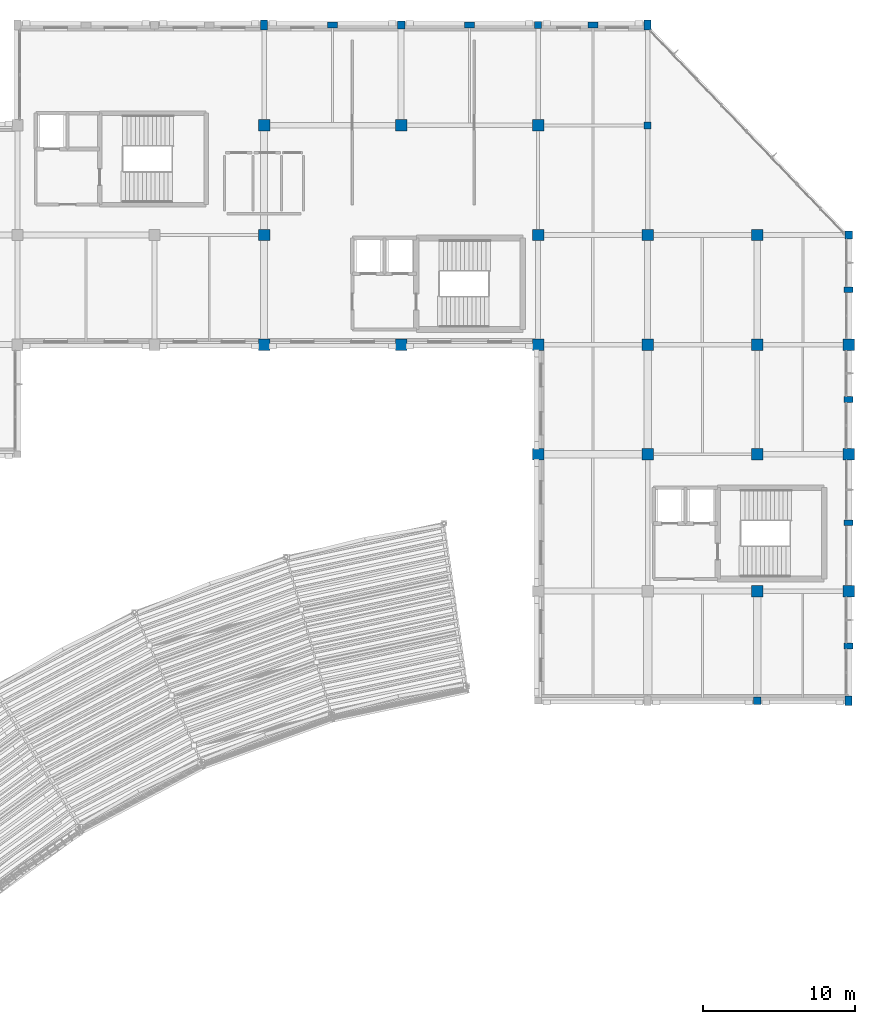
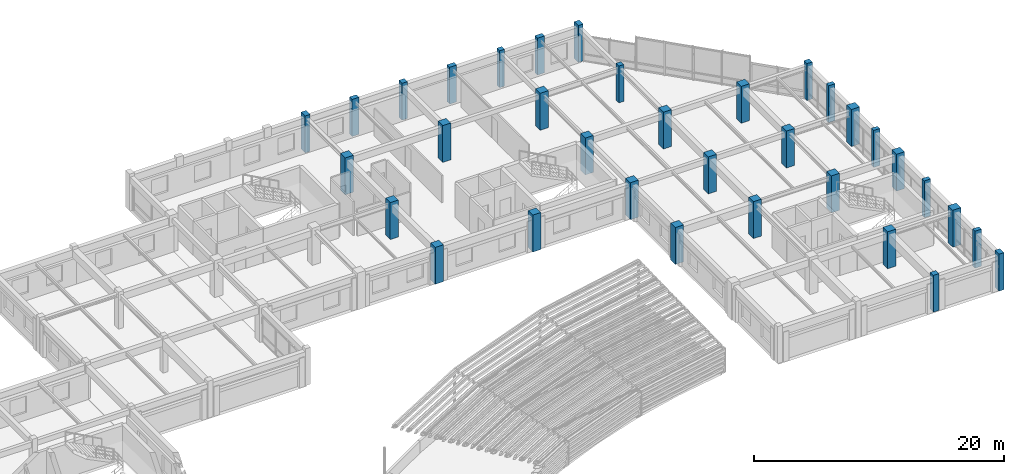
# One storey, part 14 of 74: 34 columns.
"""IFC4 building model written with IfcOpenShell, lengths in metres."""

from ifc_helpers import new_model, si_unit, direction, frame, origin, origin_2d, place, context, subcontext, project, spatial, rectangle, extrude, material, material_profile, profile_set, type_object, element, save


model = new_model("IFC4")

# Units and contexts
model_context = context("Model", 3, precision=1e-05, world=origin(), true_north=direction((0.0, 1.0)))
body_context = subcontext(model_context, "Body", "Model", "MODEL_VIEW")
ifc_project = project(units=[si_unit("LENGTHUNIT", "METRE"), si_unit("AREAUNIT", "SQUARE_METRE"), si_unit("VOLUMEUNIT", "CUBIC_METRE"), si_unit("PLANEANGLEUNIT", "RADIAN"), si_unit("MASSUNIT", "GRAM", prefix="KILO")], contexts=[model_context])

# Site, building, storey
site_placement = place(None, origin())
site = spatial("IfcSite", under=ifc_project, at=site_placement, CompositionType="ELEMENT")
building_placement = place(site_placement, origin())
building = spatial("IfcBuilding", under=site, at=building_placement, Name="Clarverna Civic Hall", CompositionType="ELEMENT")
storey_placement = place(building_placement, frame((0.0, 0.0, 13.199951171875)))
storey = spatial("IfcBuildingStorey", under=building, at=storey_placement, Name="L03", CompositionType="ELEMENT", Elevation=13.199951171875)

# Columns
ifc_material_1 = material(Name="Precast concrete C40/50", Category="concrete")
ifc_material_profile_1 = material_profile(ifc_material_1, rectangle(XDim=0.64990234375, YDim=0.419921875, at=origin_2d()), Name="PILASTER 650x420")
ifc_profile_set_1 = profile_set([ifc_material_profile_1], Name="Precast concrete C40/50")
column_type_1 = type_object("IfcColumnType", Name="C-PL1", PredefinedType="PILASTER", material=ifc_profile_set_1)
for number, where, z_axis, x_axis, name in (
    (1, (134.10009765625, 116.0, 0.0), (0.0, 0.0, 1.0), (1.0, 0.0, 0.0), "C-PL1-019"),
    (2, (143.10009765625, 116.0, 0.0), (0.0, 0.0, 1.0), (1.0, 0.0, 0.0), "C-PL1-026"),
    (3, (151.199951171875, 116.0, 0.0), (0.0, 0.0, 1.0), (1.0, 0.0, 0.0), "C-PL1-033"),
):
    element("IfcColumn", number, at=place(storey_placement, frame(where, z_axis=z_axis, x_axis=x_axis)), inside=storey, type_object=column_type_1, Name=name, PredefinedType="PILASTER", context=body_context, shape_type="SweptSolid", body=[
        extrude(rectangle(XDim=0.64990234375, YDim=0.419921875, at=origin_2d()), origin(), (0.0, 0.0, 1.0), 3.60009765625),
    ])
ifc_material_profile_2 = material_profile(ifc_material_1, rectangle(XDim=0.580078125, YDim=0.3798828125, at=origin_2d()), Name="PILASTER 580x380")
ifc_profile_set_2 = profile_set([ifc_material_profile_2], Name="Precast concrete C40/50")
column_type_2 = type_object("IfcColumnType", Name="C-PL2", PredefinedType="PILASTER", material=ifc_profile_set_2)
for number, where, z_axis, x_axis, name in (
    (4, (168.0, 75.199951171875, 0.0), (0.0, 0.0, 1.0), (1.0, 0.0, 0.0), "C-PL2-005"),
    (5, (168.0, 83.300048828125, 0.0), (0.0, 0.0, 1.0), (1.0, 0.0, 0.0), "C-PL2-012"),
    (6, (168.0, 91.39990234375, 0.0), (0.0, 0.0, 1.0), (1.0, 0.0, 0.0), "C-PL2-019"),
    (7, (168.0, 98.60009765625, 0.0), (0.0, 0.0, 1.0), (1.0, 0.0, 0.0), "C-PL2-026"),
):
    element("IfcColumn", number, at=place(storey_placement, frame(where, z_axis=z_axis, x_axis=x_axis)), inside=storey, type_object=column_type_2, Name=name, PredefinedType="PILASTER", context=body_context, shape_type="SweptSolid", body=[
        extrude(rectangle(XDim=0.580078125, YDim=0.3798828125, at=origin_2d()), origin(), (0.0, 0.0, 1.0), 3.60009765625),
    ])
ifc_material_2 = material(Name="Concrete C35/45", Category="concrete")
ifc_material_profile_3 = material_profile(ifc_material_2, rectangle(XDim=0.5, YDim=0.5, at=origin_2d()), Name="RC 500x500")
ifc_profile_set_3 = profile_set([ifc_material_profile_3], Name="Concrete C35/45")
column_type_3 = type_object("IfcColumnType", Name="C-RC12", PredefinedType="COLUMN", material=ifc_profile_set_3)
for number, where, z_axis, x_axis, name in (
    (8, (138.60009765625, 116.0, 0.0), (0.0, 0.0, 1.0), (1.0, 0.0, 0.0), "C-RC12-024"),
    (9, (162.0, 71.60009765625, 0.0), (0.0, 0.0, 1.0), (1.0, 0.0, 0.0), "C-RC12-025"),
    (10, (168.0, 102.199951171875, 0.0), (0.0, 0.0, 1.0), (1.0, 0.0, 0.0), "C-RC12-026"),
):
    element("IfcColumn", number, at=place(storey_placement, frame(where, z_axis=z_axis, x_axis=x_axis)), inside=storey, type_object=column_type_3, Name=name, PredefinedType="COLUMN", context=body_context, shape_type="SweptSolid", body=[
        extrude(rectangle(XDim=0.5, YDim=0.5, at=origin_2d()), origin(), (0.0, 0.0, 1.0), 3.60009765625),
    ])
ifc_material_profile_4 = material_profile(ifc_material_2, rectangle(XDim=0.449951171875, YDim=0.449951171875, at=origin_2d()), Name="RC 450x450")
ifc_profile_set_4 = profile_set([ifc_material_profile_4], Name="Concrete C35/45")
column_type_4 = type_object("IfcColumnType", Name="C-RC13", PredefinedType="COLUMN", material=ifc_profile_set_4)
for number, where, z_axis, x_axis, name in (
    (11, (147.60009765625, 116.0, 0.0), (0.0, 0.0, 1.0), (1.0, 0.0, 0.0), "C-RC13-034"),
    (12, (154.800048828125, 109.39990234375, 0.0), (0.0, 0.0, 1.0), (1.0, 0.0, 0.0), "C-RC13-035"),
):
    element("IfcColumn", number, at=place(storey_placement, frame(where, z_axis=z_axis, x_axis=x_axis)), inside=storey, type_object=column_type_4, Name=name, PredefinedType="COLUMN", context=body_context, shape_type="SweptSolid", body=[
        extrude(rectangle(XDim=0.449951171875, YDim=0.449951171875, at=origin_2d()), origin(), (0.0, 0.0, 1.0), 3.60009765625),
    ])
ifc_material_profile_5 = material_profile(ifc_material_2, rectangle(XDim=0.449951171875, YDim=0.64990234375, at=origin_2d()), Name="RC 450x650")
ifc_profile_set_5 = profile_set([ifc_material_profile_5], Name="Concrete C35/45")
column_type_5 = type_object("IfcColumnType", Name="C-RC18", PredefinedType="COLUMN", material=ifc_profile_set_5)
for number, where, z_axis, x_axis, name in (
    (13, (129.60009765625, 116.0, 0.0), (0.0, 0.0, 1.0), (1.0, 0.0, 0.0), "C-RC18-023"),
    (14, (154.800048828125, 116.0, 0.0), (0.0, 0.0, 1.0), (1.0, 0.0, 0.0), "C-RC18-025"),
    (15, (168.0, 71.60009765625, 0.0), (0.0, 0.0, 1.0), (1.0, 0.0, 0.0), "C-RC18-026"),
):
    element("IfcColumn", number, at=place(storey_placement, frame(where, z_axis=z_axis, x_axis=x_axis)), inside=storey, type_object=column_type_5, Name=name, PredefinedType="COLUMN", context=body_context, shape_type="SweptSolid", body=[
        extrude(rectangle(XDim=0.449951171875, YDim=0.64990234375, at=origin_2d()), origin(), (0.0, 0.0, 1.0), 3.60009765625),
    ])
ifc_material_3 = material(Name="Concrete C40/50", Category="concrete")
ifc_material_profile_6 = material_profile(ifc_material_3, rectangle(XDim=0.75, YDim=0.75, at=origin_2d()), Name="RC 750x750")
ifc_profile_set_6 = profile_set([ifc_material_profile_6], Name="Concrete C40/50")
column_type_6 = type_object("IfcColumnType", Name="C-RC5", PredefinedType="COLUMN", material=ifc_profile_set_6)
for number, where, z_axis, x_axis, name in (
    (16, (129.60009765625, 95.0, 0.0), (0.0, 0.0, 1.0), (1.0, 0.0, 0.0), "C-RC5-063"),
    (17, (129.60009765625, 102.199951171875, 0.0), (0.0, 0.0, 1.0), (1.0, 0.0, 0.0), "C-RC5-064"),
    (18, (129.60009765625, 109.39990234375, 0.0), (0.0, 0.0, 1.0), (1.0, 0.0, 0.0), "C-RC5-065"),
    (19, (138.60009765625, 95.0, 0.0), (0.0, 0.0, 1.0), (1.0, 0.0, 0.0), "C-RC5-068"),
    (20, (138.60009765625, 109.39990234375, 0.0), (0.0, 0.0, 1.0), (1.0, 0.0, 0.0), "C-RC5-069"),
    (21, (147.60009765625, 87.800048828125, 0.0), (0.0, 0.0, 1.0), (1.0, 0.0, 0.0), "C-RC5-075"),
    (22, (147.60009765625, 95.0, 0.0), (0.0, 0.0, 1.0), (1.0, 0.0, 0.0), "C-RC5-076"),
    (23, (147.60009765625, 102.199951171875, 0.0), (0.0, 0.0, 1.0), (1.0, 0.0, 0.0), "C-RC5-077"),
    (24, (147.60009765625, 109.39990234375, 0.0), (0.0, 0.0, 1.0), (1.0, 0.0, 0.0), "C-RC5-078"),
    (25, (154.800048828125, 87.800048828125, 0.0), (0.0, 0.0, 1.0), (1.0, 0.0, 0.0), "C-RC5-084"),
    (26, (154.800048828125, 95.0, 0.0), (0.0, 0.0, 1.0), (1.0, 0.0, 0.0), "C-RC5-085"),
    (27, (154.800048828125, 102.199951171875, 0.0), (0.0, 0.0, 1.0), (1.0, 0.0, 0.0), "C-RC5-086"),
    (28, (162.0, 78.800048828125, 0.0), (0.0, 0.0, 1.0), (1.0, 0.0, 0.0), "C-RC5-091"),
    (29, (162.0, 87.800048828125, 0.0), (0.0, 0.0, 1.0), (1.0, 0.0, 0.0), "C-RC5-092"),
    (30, (162.0, 95.0, 0.0), (0.0, 0.0, 1.0), (1.0, 0.0, 0.0), "C-RC5-093"),
    (31, (162.0, 102.199951171875, 0.0), (0.0, 0.0, 1.0), (1.0, 0.0, 0.0), "C-RC5-094"),
    (32, (168.0, 78.800048828125, 0.0), (0.0, 0.0, 1.0), (1.0, 0.0, 0.0), "C-RC5-098"),
    (33, (168.0, 87.800048828125, 0.0), (0.0, 0.0, 1.0), (1.0, 0.0, 0.0), "C-RC5-099"),
    (34, (168.0, 95.0, 0.0), (0.0, 0.0, 1.0), (1.0, 0.0, 0.0), "C-RC5-100"),
):
    element("IfcColumn", number, at=place(storey_placement, frame(where, z_axis=z_axis, x_axis=x_axis)), inside=storey, type_object=column_type_6, Name=name, PredefinedType="COLUMN", context=body_context, shape_type="SweptSolid", body=[
        extrude(rectangle(XDim=0.75, YDim=0.75, at=origin_2d()), origin(), (0.0, 0.0, 1.0), 3.60009765625),
    ])

save(model, "model.ifc")
